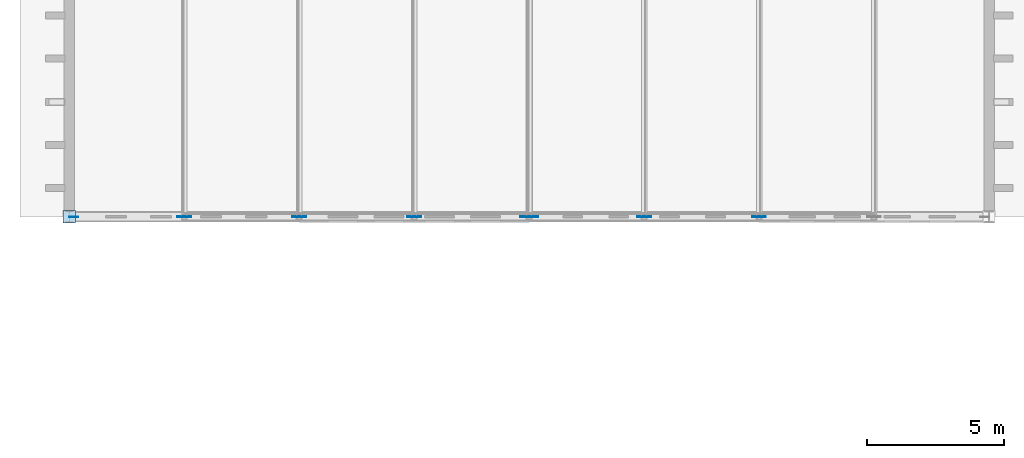
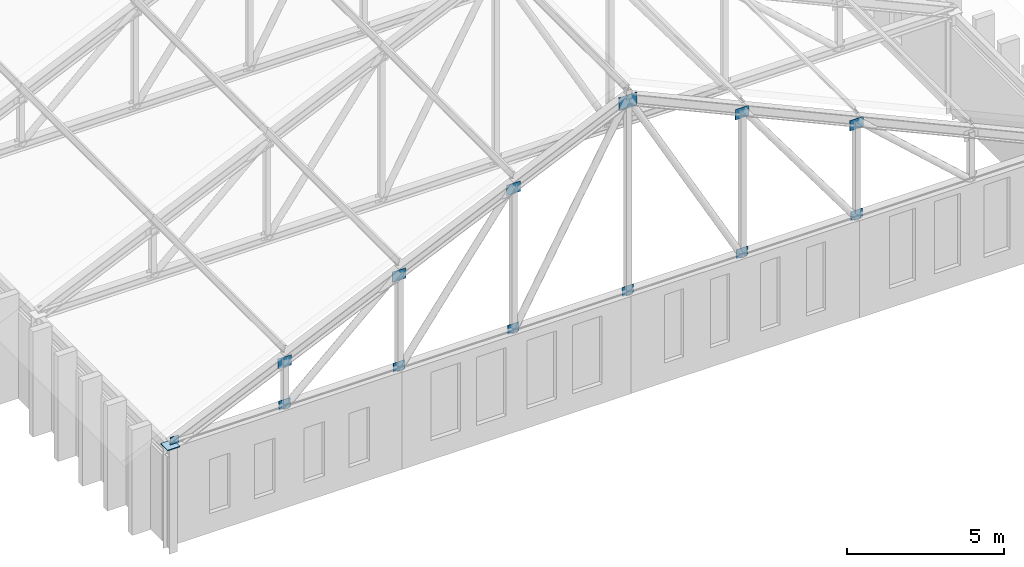
# One storey, part 64 of 110: 14 plates.
"""IFC4 building model written with IfcOpenShell, lengths in metres."""

from ifc_helpers import new_model, si_unit, direction, frame, origin, origin_2d, place, context, subcontext, project, spatial, rectangle, extrude, material, layer, layer_set, type_object, element, save


model = new_model("IFC4")

# Units and contexts
model_context = context("Model", 3, precision=1e-05, world=origin(), true_north=direction((0.0, 1.0)))
body_context = subcontext(model_context, "Body", "Model", "MODEL_VIEW")
ifc_project = project(units=[si_unit("LENGTHUNIT", "METRE"), si_unit("AREAUNIT", "SQUARE_METRE"), si_unit("VOLUMEUNIT", "CUBIC_METRE"), si_unit("PLANEANGLEUNIT", "RADIAN"), si_unit("MASSUNIT", "GRAM", prefix="KILO")], contexts=[model_context])

# Site, building, storey
site_placement = place(None, origin())
site = spatial("IfcSite", under=ifc_project, at=site_placement, CompositionType="ELEMENT")
building_placement = place(site_placement, origin())
building = spatial("IfcBuilding", under=site, at=building_placement, Name="Kveldsbrygga Polytechnic", CompositionType="ELEMENT")
storey_placement = place(building_placement, frame((0.0, 0.0, 9.860107421875)))
storey = spatial("IfcBuildingStorey", under=building, at=storey_placement, Name="L02", CompositionType="ELEMENT", Elevation=9.860107421875)

# Plates
ifc_material = material(Name="Steel S355", Category="steel")
ifc_layer_1 = layer(ifc_material, 0.030029296875)
ifc_layer_set_1 = layer_set([ifc_layer_1], Name="Steel S355")
plate_type_1 = type_object("IfcPlateType", Name="CAP-BEAR-450", PredefinedType="SHEET", material=ifc_layer_set_1)
plate_1_placement = place(storey_placement, frame((0.0, 25.199951171875, 3.75), z_axis=(0.0, 0.0, 1.0), x_axis=(1.0, 0.0, 0.0)))
element("IfcPlate", 1, at=plate_1_placement, inside=storey, type_object=plate_type_1, Name="Truss Bearing Plate V1W-T01-A", PredefinedType="SHEET", context=body_context, shape_type="SweptSolid", body=[
    extrude(rectangle(XDim=0.449951171875, YDim=0.449951171875, at=origin_2d()), origin(), (0.0, 0.0, 1.0), 0.030029296875),
])
ifc_layer_2 = layer(ifc_material, 0.02490234375)
ifc_layer_set_2 = layer_set([ifc_layer_2], Name="Steel S355")
plate_type_2 = type_object("IfcPlateType", Name="GUS-APEX-650", PredefinedType="SHEET", material=ifc_layer_set_2)
plate_2_placement = place(storey_placement, frame((16.800048828125, 25.199951171875, 10.97998046875), z_axis=(0.0, 0.0, 1.0), x_axis=(1.0, 0.0, 0.0)))
element("IfcPlate", 2, at=plate_2_placement, inside=storey, type_object=plate_type_2, Name="Truss Gusset Plate V1W-T01-GP-4", PredefinedType="SHEET", context=body_context, shape_type="SweptSolid", body=[
    extrude(rectangle(XDim=0.64990234375, YDim=0.02490234375, at=origin_2d()), origin(), (0.0, 0.0, 1.0), 0.5),
])
ifc_layer_3 = layer(ifc_material, 0.01806640625)
ifc_layer_set_3 = layer_set([ifc_layer_3], Name="Steel S355")
plate_type_3 = type_object("IfcPlateType", Name="GUS-BRACE-320", PredefinedType="SHEET", material=ifc_layer_set_3)
plate_3_placement = place(storey_placement, frame((0.159912109375, 25.199951171875, 3.73974609375), z_axis=(0.0, 0.0, 1.0), x_axis=(1.0, 0.0, 0.0)))
element("IfcPlate", 3, at=plate_3_placement, inside=storey, type_object=plate_type_3, Name="Truss Eaves Node Gusset V1W-T01-EGP-A", PredefinedType="SHEET", context=body_context, shape_type="SweptSolid", body=[
    extrude(rectangle(XDim=0.320068359375, YDim=0.01806640625, at=origin_2d()), origin(), (0.0, 0.0, 1.0), 0.320068359375),
])
ifc_layer_4 = layer(ifc_material, 0.02001953125)
ifc_layer_set_4 = layer_set([ifc_layer_4], Name="Steel S355")
plate_type_4 = type_object("IfcPlateType", Name="GUS-LECT-420", PredefinedType="SHEET", material=ifc_layer_set_4)
for number, where, z_axis, x_axis, name in (
    (4, (4.199951171875, 25.199951171875, 3.724853515625), (0.0, 0.0, 1.0), (1.0, 0.0, 0.0), "Truss Bottom-Chord Node Gusset V1W-T01-BGP-1"),
    (5, (8.39990234375, 25.199951171875, 3.724853515625), (0.0, 0.0, 1.0), (1.0, 0.0, 0.0), "Truss Bottom-Chord Node Gusset V1W-T01-BGP-2"),
    (6, (12.60009765625, 25.199951171875, 3.724853515625), (0.0, 0.0, 1.0), (1.0, 0.0, 0.0), "Truss Bottom-Chord Node Gusset V1W-T01-BGP-3"),
    (7, (16.800048828125, 25.199951171875, 3.724853515625), (0.0, 0.0, 1.0), (1.0, 0.0, 0.0), "Truss Bottom-Chord Node Gusset V1W-T01-BGP-4"),
    (8, (21.0, 25.199951171875, 3.724853515625), (0.0, 0.0, 1.0), (1.0, 0.0, 0.0), "Truss Bottom-Chord Node Gusset V1W-T01-BGP-5"),
    (9, (25.199951171875, 25.199951171875, 3.724853515625), (0.0, 0.0, 1.0), (1.0, 0.0, 0.0), "Truss Bottom-Chord Node Gusset V1W-T01-BGP-6"),
):
    element("IfcPlate", number, at=place(storey_placement, frame(where, z_axis=z_axis, x_axis=x_axis)), inside=storey, type_object=plate_type_4, Name=name, PredefinedType="SHEET", context=body_context, shape_type="SweptSolid", body=[
        extrude(rectangle(XDim=0.419921875, YDim=0.02001953125, at=origin_2d()), origin(), (0.0, 0.0, 1.0), 0.35009765625),
    ])
ifc_layer_5 = layer(ifc_material, 0.02197265625)
ifc_layer_set_5 = layer_set([ifc_layer_5], Name="Steel S355")
plate_type_5 = type_object("IfcPlateType", Name="GUS-NODE-500", PredefinedType="SHEET", material=ifc_layer_set_5)
for number, where, z_axis, x_axis, name in (
    (10, (4.199951171875, 25.199951171875, 5.329833984375), (0.0, 0.0, 1.0), (1.0, 0.0, 0.0), "Truss Gusset Plate V1W-T01-GP-1"),
    (11, (8.39990234375, 25.199951171875, 7.22998046875), (0.0, 0.0, 1.0), (1.0, 0.0, 0.0), "Truss Gusset Plate V1W-T01-GP-2"),
    (12, (12.60009765625, 25.199951171875, 9.1298828125), (0.0, 0.0, 1.0), (1.0, 0.0, 0.0), "Truss Gusset Plate V1W-T01-GP-3"),
    (13, (21.0, 25.199951171875, 9.1298828125), (0.0, 0.0, 1.0), (1.0, 0.0, 0.0), "Truss Gusset Plate V1W-T01-GP-5"),
    (14, (25.199951171875, 25.199951171875, 7.22998046875), (0.0, 0.0, 1.0), (1.0, 0.0, 0.0), "Truss Gusset Plate V1W-T01-GP-6"),
):
    element("IfcPlate", number, at=place(storey_placement, frame(where, z_axis=z_axis, x_axis=x_axis)), inside=storey, type_object=plate_type_5, Name=name, PredefinedType="SHEET", context=body_context, shape_type="SweptSolid", body=[
        extrude(rectangle(XDim=0.5, YDim=0.02197265625, at=origin_2d()), origin(), (0.0, 0.0, 1.0), 0.39990234375),
    ])

save(model, "model.ifc")
